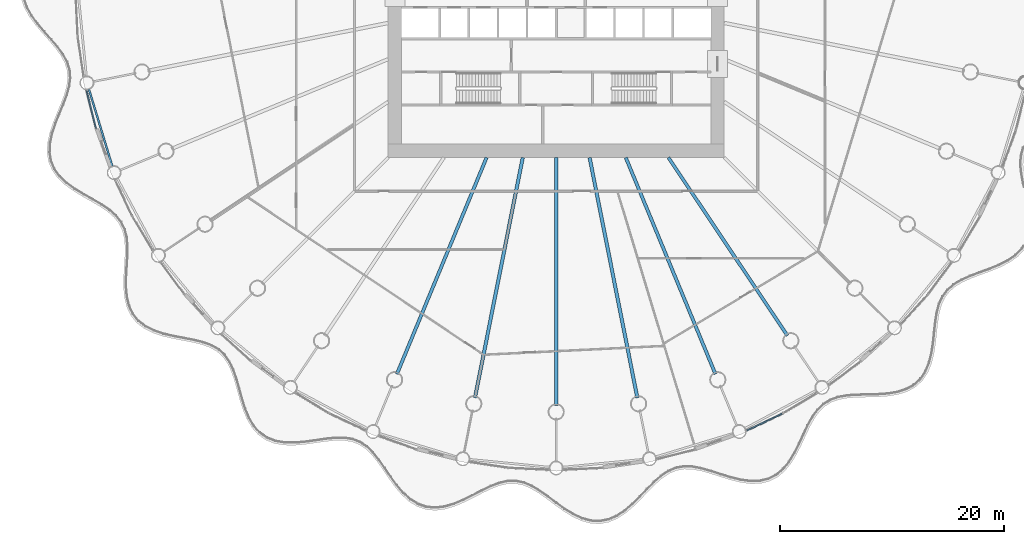
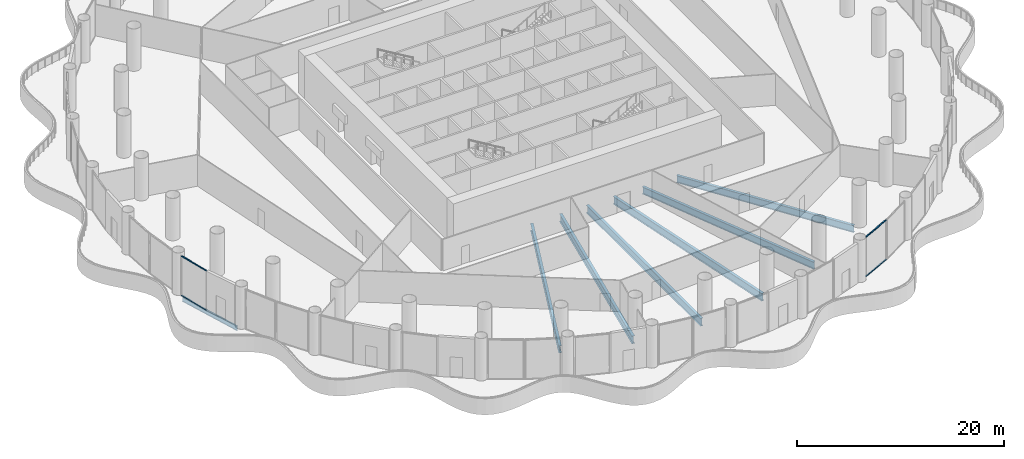
# One storey, part 6 of 35: 7 beams, 4 members, 2 elements without a shape of their own.
"""IFC4 building model written with IfcOpenShell, lengths in metres."""

from ifc_helpers import new_model, si_unit, direction, frame, origin, origin_2d, place, context, subcontext, project, spatial, rectangle, i_section, extrude, material, material_profile, profile_set, type_object, element, aggregate, save


model = new_model("IFC4")

# Units and contexts
model_context = context("Model", 3, precision=1e-05, world=origin(), true_north=direction((0.0, 1.0)))
body_context = subcontext(model_context, "Body", "Model", "MODEL_VIEW")
ifc_project = project(units=[si_unit("LENGTHUNIT", "METRE"), si_unit("AREAUNIT", "SQUARE_METRE"), si_unit("VOLUMEUNIT", "CUBIC_METRE"), si_unit("PLANEANGLEUNIT", "RADIAN"), si_unit("MASSUNIT", "GRAM", prefix="KILO")], contexts=[model_context])

# Site, building, storey
site_placement = place(None, origin())
site = spatial("IfcSite", under=ifc_project, at=site_placement, CompositionType="ELEMENT")
building_placement = place(site_placement, origin())
building = spatial("IfcBuilding", under=site, at=building_placement, Name="Corvane Civic Tower", CompositionType="ELEMENT")
storey_placement = place(building_placement, frame((0.0, 0.0, 22.0)))
storey = spatial("IfcBuildingStorey", under=building, at=storey_placement, Name="L04", CompositionType="ELEMENT", Elevation=22.0)

# Beams
ifc_material_1 = material(Name="Steel ASTM A992 Gr 50", Category="steel")
ifc_material_profile_1 = material_profile(ifc_material_1, i_section(OverallWidth=0.165771484375, OverallDepth=0.5283203125, WebThickness=0.009765625, FlangeThickness=0.013671875, at=origin_2d()), Name="W21X50")
ifc_profile_set_1 = profile_set([ifc_material_profile_1], Name="Steel ASTM A992 Gr 50")
beam_type_1 = type_object("IfcBeamType", Name="EDGE BEAM W21X50", PredefinedType="BEAM", material=ifc_profile_set_1)
beam_1_placement = place(storey_placement, frame((-39.609375, -15.814208984375, -0.564208984375), z_axis=(-0.290291633127, 0.956938225664, 0.0), x_axis=(-0.956938225664, -0.290291633127, 0.0)))
element("IfcBeam", 1, at=beam_1_placement, inside=storey, type_object=beam_type_1, Name="BM-L04-E23", PredefinedType="BEAM", context=body_context, shape_type="SweptSolid", body=[
    extrude(i_section(OverallWidth=0.165771484375, OverallDepth=0.5283203125, WebThickness=0.009765625, FlangeThickness=0.013671875, at=origin_2d()), origin(), (0.0, 0.0, 1.0), 7.2705078125),
])
ifc_material_2 = material(Name="Steel ASTM A992 Gr 50", Category="steel")
ifc_material_profile_2 = material_profile(ifc_material_2, i_section(OverallWidth=0.2919921875, OverallDepth=0.845703125, WebThickness=0.015380859375, FlangeThickness=0.0244140625, at=origin_2d()), Name="W33X141")
ifc_profile_set_2 = profile_set([ifc_material_profile_2], Name="Steel ASTM A992 Gr 50")
beam_type_2 = type_object("IfcBeamType", Name="FLOOR GIRDER W33X141", PredefinedType="BEAM", material=ifc_profile_set_2)
beam_2_placement = place(storey_placement, frame((10.022705078125, -15.0, -0.722900390625), z_axis=(0.555566681385, -0.831471985418, 0.0), x_axis=(0.831471985418, 0.555566681385, 0.0)))
element("IfcBeam", 2, at=beam_2_placement, inside=storey, type_object=beam_type_2, Name="BM-L04-G14", PredefinedType="BEAM", context=body_context, shape_type="SweptSolid", body=[
    extrude(i_section(OverallWidth=0.2919921875, OverallDepth=0.845703125, WebThickness=0.015380859375, FlangeThickness=0.0244140625, at=origin_2d()), origin(), (0.0, 0.0, 1.0), 19.109619140625),
])
for number, where, z_axis, x_axis, name in (
    (3, (6.213134765625, -15.0, -0.722900390625), (0.382692360381, -0.923875834355, 0.0), (0.923875834355, 0.382692360381, 0.0), "BM-L04-G15"),
    (4, (-6.213134765625, -15.0, -0.722900390625), (-0.382692360381, -0.923875834355, 0.0), (0.923875834355, -0.382692360381, 0.0), "BM-L04-G19"),
):
    element("IfcBeam", number, at=place(storey_placement, frame(where, z_axis=z_axis, x_axis=x_axis)), inside=storey, type_object=beam_type_2, Name=name, PredefinedType="BEAM", context=body_context, shape_type="SweptSolid", body=[
        extrude(i_section(OverallWidth=0.2919921875, OverallDepth=0.845703125, WebThickness=0.015380859375, FlangeThickness=0.0244140625, at=origin_2d()), origin(), (0.0, 0.0, 1.0), 20.9140625),
    ])
ifc_material_3 = material(Name="Steel ASTM A992 Gr 50", Category="steel")
ifc_material_profile_3 = material_profile(ifc_material_3, i_section(OverallWidth=0.3046875, OverallDepth=0.911865234375, WebThickness=0.015869140625, FlangeThickness=0.02392578125, at=origin_2d()), Name="W36X150")
ifc_profile_set_3 = profile_set([ifc_material_profile_3], Name="Steel ASTM A992 Gr 50")
beam_type_3 = type_object("IfcBeamType", Name="FLOOR GIRDER W36X150", PredefinedType="BEAM", material=ifc_profile_set_3)
beam_3_placement = place(storey_placement, frame((2.983642578125, -15.0, -0.755859375), z_axis=(0.195089219638, -0.980785499679, 0.0), x_axis=(0.980785499679, 0.195089219638, 0.0)))
element("IfcBeam", 5, at=beam_3_placement, inside=storey, type_object=beam_type_3, Name="BM-L04-G16", PredefinedType="BEAM", context=body_context, shape_type="SweptSolid", body=[
    extrude(i_section(OverallWidth=0.3046875, OverallDepth=0.911865234375, WebThickness=0.015869140625, FlangeThickness=0.02392578125, at=origin_2d()), origin(), (0.0, 0.0, 1.0), 21.856201171875),
])
beam_4_placement = place(storey_placement, frame((0.0, -15.0, -0.755859375), z_axis=(0.0, -1.0, 0.0), x_axis=(1.0, 0.0, 0.0)))
element("IfcBeam", 6, at=beam_4_placement, inside=storey, type_object=beam_type_3, Name="BM-L04-G17", PredefinedType="BEAM", context=body_context, shape_type="SweptSolid", body=[
    extrude(i_section(OverallWidth=0.3046875, OverallDepth=0.911865234375, WebThickness=0.015869140625, FlangeThickness=0.02392578125, at=origin_2d()), origin(), (0.0, 0.0, 1.0), 22.14990234375),
])
beam_5_placement = place(storey_placement, frame((-2.983642578125, -15.0, -0.755859375), z_axis=(-0.195089219638, -0.980785499679, 0.0), x_axis=(0.980785499679, -0.195089219638, 0.0)))
element("IfcBeam", 7, at=beam_5_placement, inside=storey, type_object=beam_type_3, Name="BM-L04-G18", PredefinedType="BEAM", context=body_context, shape_type="SweptSolid", body=[
    extrude(i_section(OverallWidth=0.3046875, OverallDepth=0.911865234375, WebThickness=0.015869140625, FlangeThickness=0.02392578125, at=origin_2d()), origin(), (0.0, 0.0, 1.0), 21.856201171875),
])

# Curtain wall, members
ifc_material_4 = material(Name="Aluminium and glass", Category="aluminium")
curtain_wall_type = type_object("IfcCurtainWallType", Name="PODIUM-CW-P-RUN", PredefinedType="NOTDEFINED", material=ifc_material_4)
curtain_wall_1_placement = place(storey_placement, origin())
curtain_wall_1 = element("IfcCurtainWall", 8, at=curtain_wall_1_placement, inside=storey, type_object=curtain_wall_type, Name="PODI run L04-drum-14B", PredefinedType="NOTDEFINED")
ifc_material_5 = material(Name="Anodised aluminium bronze", Category="aluminium")
ifc_material_profile_4 = material_profile(ifc_material_5, rectangle(XDim=0.1201171875, YDim=0.06005859375, at=origin_2d()), Name="AL 120x60")
ifc_profile_set_4 = profile_set([ifc_material_profile_4], Name="Anodised aluminium bronze")
member_type = type_object("IfcMemberType", Name="PODIUM-CWP-TRANSOM-60x120", PredefinedType="USERDEFINED", material=ifc_profile_set_4)
member_1_placement = place(storey_placement, frame((20.1591796875, -37.87548828125, 0.030029296875), z_axis=(-0.903993431638, -0.427546343166, 0.0), x_axis=(0.427546343166, -0.903993431638, 0.0)))
member_1 = element("IfcMember", 9, at=member_1_placement, type_object=member_type, Name="CW-P transom 1.1", ObjectType="TRANSOM", PredefinedType="USERDEFINED", context=body_context, shape_type="SweptSolid", body=[
    extrude(rectangle(XDim=0.1201171875, YDim=0.06005859375, at=origin_2d()), origin(), (0.0, 0.0, 1.0), 3.4599609375),
])
member_2_placement = place(storey_placement, frame((20.1591796875, -37.87548828125, 4.669921875), z_axis=(-0.903993431638, -0.427546343166, 0.0), x_axis=(0.427546343166, -0.903993431638, 0.0)))
member_2 = element("IfcMember", 10, at=member_2_placement, type_object=member_type, Name="CW-P transom 1.2", ObjectType="TRANSOM", PredefinedType="USERDEFINED", context=body_context, shape_type="SweptSolid", body=[
    extrude(rectangle(XDim=0.1201171875, YDim=0.06005859375, at=origin_2d()), origin(), (0.0, 0.0, 1.0), 3.4599609375),
])
aggregate(curtain_wall_1, [member_1, member_2])

curtain_wall_2_placement = place(storey_placement, origin())
curtain_wall_2 = element("IfcCurtainWall", 11, at=curtain_wall_2_placement, inside=storey, type_object=curtain_wall_type, Name="PODI run L04-drum-23B", PredefinedType="NOTDEFINED")
member_3_placement = place(storey_placement, frame((-41.08056640625, -12.3828125, 0.030029296875), z_axis=(-0.243017080124, 0.970022009425, 0.0), x_axis=(-0.970022009425, -0.243017080124, 0.0)))
member_3 = element("IfcMember", 12, at=member_3_placement, type_object=member_type, Name="CW-P transom 1.1", ObjectType="TRANSOM", PredefinedType="USERDEFINED", context=body_context, shape_type="SweptSolid", body=[
    extrude(rectangle(XDim=0.1201171875, YDim=0.06005859375, at=origin_2d()), origin(), (0.0, 0.0, 1.0), 3.4599609375),
])
member_4_placement = place(storey_placement, frame((-41.08056640625, -12.3828125, 4.669921875), z_axis=(-0.243017080124, 0.970022009425, 0.0), x_axis=(-0.970022009425, -0.243017080124, 0.0)))
member_4 = element("IfcMember", 13, at=member_4_placement, type_object=member_type, Name="CW-P transom 1.2", ObjectType="TRANSOM", PredefinedType="USERDEFINED", context=body_context, shape_type="SweptSolid", body=[
    extrude(rectangle(XDim=0.1201171875, YDim=0.06005859375, at=origin_2d()), origin(), (0.0, 0.0, 1.0), 3.4599609375),
])
aggregate(curtain_wall_2, [member_3, member_4])

save(model, "model.ifc")
